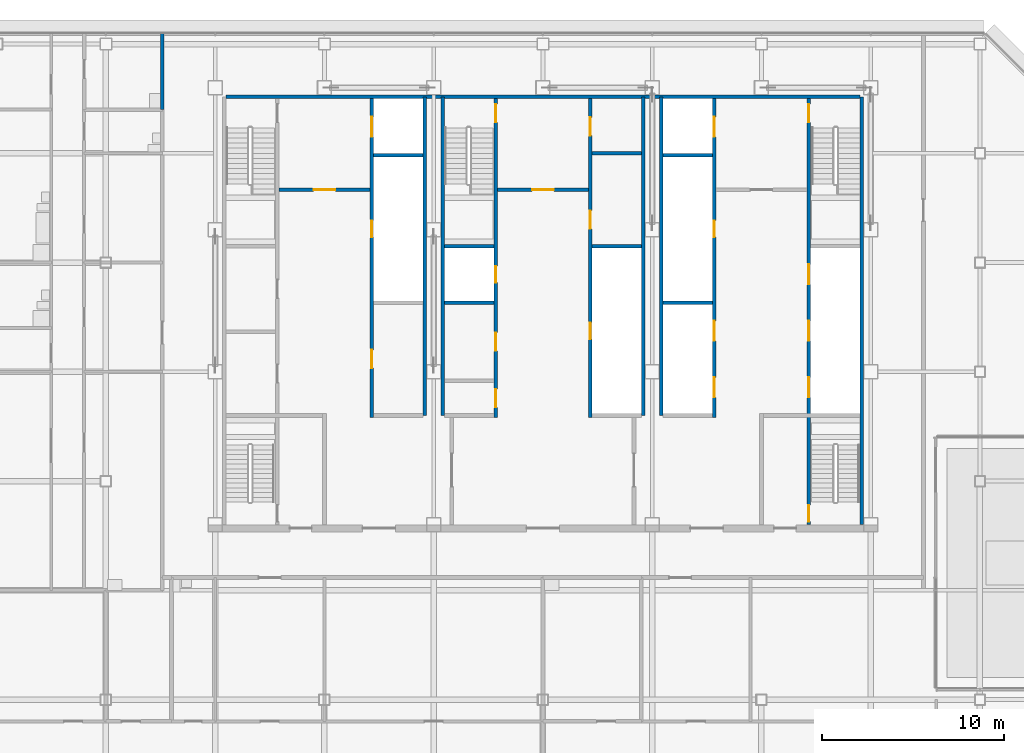
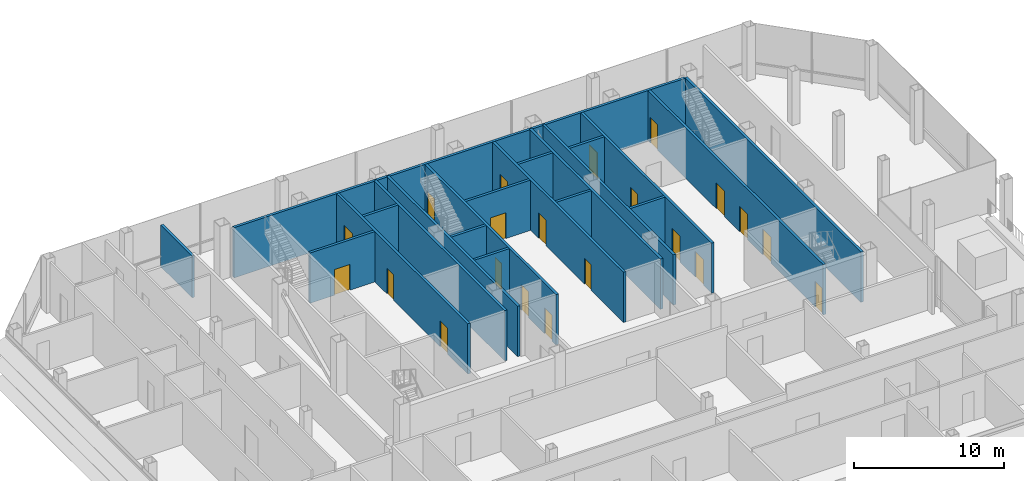
# One storey, part 25 of 30: 21 doors, 21 walls, 21 openings.
"""IFC4 building model written with IfcOpenShell, lengths in metres."""

import ifcopenshell
import ifcopenshell.guid

model = None  # the IFC model being written
_history = None  # IfcOwnerHistory: only IFC2X3 demands one
_inside = {}  # id of a spatial element -> (the spatial element, [elements in it])
_under = {}  # id of a project, library or spatial element -> (it, [spatial elements below it])
_declared = {}  # id of a project -> (the project, [libraries it declares])
_typed = {}  # id of a type object -> (the type object, [elements of that type])
_made_of = {}  # id of a material, layer set ... -> (it, [elements and type objects made of it])


def new_model(schema):
    """Start an empty IFC model of exactly this schema.

    Asked for "IFC4X3", IfcOpenShell would pick the latest addendum, in which some entities
    have other attributes; the version numbers below select the first issue.
    IFC2X3 requires an IfcOwnerHistory on every rooted entity: one is made here for all.
    """
    global model, _history
    if schema == "IFC4X3":
        model = ifcopenshell.file(schema_version=(4, 3, 0, 0))
    else:
        model = ifcopenshell.file(schema=schema)
    _inside.clear()
    _under.clear()
    _declared.clear()
    _typed.clear()
    _made_of.clear()
    _history = None
    if model.schema == "IFC2X3":
        org = make("IfcOrganization", Name="unknown")
        user = make(
            "IfcPersonAndOrganization",
            ThePerson=make("IfcPerson", FamilyName="unknown"),
            TheOrganization=org,
        )
        app = make(
            "IfcApplication",
            ApplicationDeveloper=org,
            Version="unknown",
            ApplicationFullName="unknown",
            ApplicationIdentifier="unknown",
        )
        _history = make(
            "IfcOwnerHistory",
            OwningUser=user,
            OwningApplication=app,
            ChangeAction="ADDED",
            CreationDate=0,
        )
    return model


def make(cls, **values):
    """One entity of the class cls with the attributes given. An attribute that is None is left unset."""
    return model.create_entity(
        cls, **{name: value for name, value in values.items() if value is not None}
    )


def rooted(cls, **values):
    """An entity with a GlobalId (a new one), such as an element, a storey or a relation."""
    return make(cls, GlobalId=ifcopenshell.guid.new(), OwnerHistory=_history, **values)


def si_unit(unit_type, name, prefix=None):
    """IfcSIUnit, for example si_unit("LENGTHUNIT", "METRE", prefix="MILLI")."""
    return make("IfcSIUnit", UnitType=unit_type, Prefix=prefix, Name=name)


def assignment(units):
    """IfcUnitAssignment: the units of a project."""
    return None if units is None else make("IfcUnitAssignment", Units=units)


def point(xyz):
    """IfcCartesianPoint."""
    return None if xyz is None else make("IfcCartesianPoint", Coordinates=xyz)


def direction(xyz):
    """IfcDirection."""
    return None if xyz is None else make("IfcDirection", DirectionRatios=xyz)


def frame(location, z_axis=None, x_axis=None):
    """IfcAxis2Placement3D, a coordinate frame: its origin and axes. An axis left out is left unset."""
    return make(
        "IfcAxis2Placement3D",
        Location=point(location),
        Axis=direction(z_axis),
        RefDirection=direction(x_axis),
    )


def frame_2d(location, x_axis=None):
    """IfcAxis2Placement2D, a coordinate frame in the plane: its origin and x axis."""
    return make(
        "IfcAxis2Placement2D", Location=point(location), RefDirection=direction(x_axis)
    )


def origin():
    """The frame at (0, 0, 0) with its axes left unset."""
    return frame((0.0, 0.0, 0.0))


def place(relative_to, where):
    """IfcLocalPlacement: puts the frame where relative to a parent placement (None: the world)."""
    return make(
        "IfcLocalPlacement", PlacementRelTo=relative_to, RelativePlacement=where
    )


def context(
    kind, dimensions, precision=None, world=None, true_north=None, identifier=None
):
    """IfcGeometricRepresentationContext, for example the 3D "Model" context."""
    return make(
        "IfcGeometricRepresentationContext",
        ContextIdentifier=identifier,
        ContextType=kind,
        CoordinateSpaceDimension=dimensions,
        Precision=precision,
        WorldCoordinateSystem=world,
        TrueNorth=true_north,
    )


def subcontext(parent, identifier, kind, view, scale=None):
    """IfcGeometricRepresentationSubContext, for example "Body" below "Model"."""
    return make(
        "IfcGeometricRepresentationSubContext",
        ContextIdentifier=identifier,
        ContextType=kind,
        ParentContext=parent,
        TargetScale=scale,
        TargetView=view,
    )


def project(units=None, contexts=None):
    """IfcProject with its units and contexts."""
    return rooted(
        "IfcProject",
        Name="project",
        RepresentationContexts=contexts,
        UnitsInContext=assignment(units),
    )


def spatial(cls, under=None, at=None, **own):
    """A site, building, storey or space (cls), placed at a placement, below another one or the project."""
    s = rooted(cls, ObjectPlacement=at, **own)
    if under is not None:
        _under.setdefault(under.id(), (under, []))[1].append(s)
    return s


def profile(cls, at=None, kind="AREA", **sizes):
    """A parametric profile (cls). Its sizes go by their IFC names, for example OverallWidth=200.0."""
    return make(cls, ProfileType=kind, Position=at, **sizes)


def rectangle(**sizes):
    """IfcRectangleProfileDef."""
    return profile("IfcRectangleProfileDef", **sizes)


def extrude(swept, where, along, depth):
    """IfcExtrudedAreaSolid: the profile swept, set in the frame where, extruded along a direction by depth."""
    return make(
        "IfcExtrudedAreaSolid",
        SweptArea=swept,
        Position=where,
        ExtrudedDirection=direction(along),
        Depth=depth,
    )


def shape(context_of_items, identifier, shape_type, items):
    """IfcShapeRepresentation: the items that make up one representation, for example the "Body"."""
    return make(
        "IfcShapeRepresentation",
        ContextOfItems=context_of_items,
        RepresentationIdentifier=identifier,
        RepresentationType=shape_type,
        Items=items,
    )


def material(Name=None, Category=None):
    """IfcMaterial."""
    return make("IfcMaterial", Name=Name, Category=Category)


def layer(
    of_material, thickness, ventilated=None, Name=None, Category=None, Priority=None
):
    """IfcMaterialLayer: one layer of a wall or slab, of a material (None: an air gap)."""
    return make(
        "IfcMaterialLayer",
        Material=of_material,
        LayerThickness=thickness,
        IsVentilated=ventilated,
        Name=Name,
        Category=Category,
        Priority=Priority,
    )


def layer_set(layers, Name=None):
    """IfcMaterialLayerSet."""
    return make("IfcMaterialLayerSet", MaterialLayers=layers, LayerSetName=Name)


def made_of(thing, what):
    """Note that an element or type object is made of a material, layer set ...; save() writes the relation."""
    if what is not None:
        _made_of.setdefault(what.id(), (what, []))[1].append(thing)
    return thing


def type_object(cls, material=None, **own):
    """A type object (cls), such as IfcWallType, which elements share."""
    return made_of(rooted(cls, **own), material)


def element(
    cls,
    number,
    at=None,
    inside=None,
    cuts=None,
    type_object=None,
    material=None,
    context=None,
    identifier="Body",
    shape_type=None,
    held_by="IfcProductDefinitionShape",
    body=None,
    shapes=None,
    **own,
):
    """One element of the class cls, such as IfcWall. Its Tag is "e" and its number.

    at: its placement. inside: the storey or other place that contains it. cuts: it is an
    opening in that element (IfcRelVoidsElement). A single representation is given by context,
    identifier, shape_type and body (its items); several are given by shapes. held_by: the class
    of the entity that holds the representations. save() writes the other relations.
    """
    e = rooted(cls, Tag="e%d" % number, ObjectPlacement=at, **own)
    if body is not None:
        shapes = [shape(context, identifier, shape_type, body)]
    if shapes is not None:
        e.Representation = make(held_by, Representations=shapes)
    if inside is not None:
        _inside.setdefault(inside.id(), (inside, []))[1].append(e)
    if cuts is not None:
        rooted(
            "IfcRelVoidsElement", RelatingBuildingElement=cuts, RelatedOpeningElement=e
        )
    if type_object is not None:
        _typed.setdefault(type_object.id(), (type_object, []))[1].append(e)
    return made_of(e, material)


def fill(opening, filler):
    """IfcRelFillsElement: the door or window that sits in an opening."""
    return rooted(
        "IfcRelFillsElement",
        RelatingOpeningElement=opening,
        RelatedBuildingElement=filler,
    )


def aggregate(whole, parts):
    """IfcRelAggregates: a whole, such as a stair, and the parts it consists of."""
    return rooted("IfcRelAggregates", RelatingObject=whole, RelatedObjects=parts)


def save(model, path):
    """Write the relations noted so far, then the file.

    IfcRelAggregates (storeys below a building ...), IfcRelContainedInSpatialStructure (elements
    in a storey), IfcRelDefinesByType, IfcRelAssociatesMaterial and IfcRelDeclares: one each for
    every whole, place, type object, material and project.
    """
    for whole, parts in _under.values():
        aggregate(whole, parts)
    for where, things in _inside.values():
        rooted(
            "IfcRelContainedInSpatialStructure",
            RelatedElements=things,
            RelatingStructure=where,
        )
    for kind, things in _typed.values():
        rooted("IfcRelDefinesByType", RelatedObjects=things, RelatingType=kind)
    for what, things in _made_of.values():
        rooted("IfcRelAssociatesMaterial", RelatedObjects=things, RelatingMaterial=what)
    for by, libraries in _declared.values():
        rooted("IfcRelDeclares", RelatingContext=by, RelatedDefinitions=libraries)
    model.write(path)


model = new_model("IFC4")

# Units and contexts
model_context = context("Model", 3, precision=1e-05, world=origin(), true_north=direction((0.0, 1.0)))
body_context = subcontext(model_context, "Body", "Model", "MODEL_VIEW")
ifc_project = project(units=[si_unit("LENGTHUNIT", "METRE"), si_unit("AREAUNIT", "SQUARE_METRE"), si_unit("VOLUMEUNIT", "CUBIC_METRE"), si_unit("PLANEANGLEUNIT", "RADIAN"), si_unit("MASSUNIT", "GRAM", prefix="KILO")], contexts=[model_context])

# Site, building, storey
site_placement = place(None, origin())
site = spatial("IfcSite", under=ifc_project, at=site_placement, CompositionType="ELEMENT")
building_placement = place(site_placement, origin())
building = spatial("IfcBuilding", under=site, at=building_placement, Name="Sorahane Residences", CompositionType="ELEMENT")
storey_placement = place(building_placement, frame((0.0, 0.0, 229.800048828125)))
storey = spatial("IfcBuildingStorey", under=building, at=storey_placement, Name="L54", CompositionType="ELEMENT", Elevation=229.800048828125)

# Walls
ifc_material_1 = material(Name="Concrete C30", Category="concrete")
ifc_layer_1 = layer(ifc_material_1, 0.199951171875)
ifc_layer_set_1 = layer_set([ifc_layer_1], Name="Core face wall 200 EI 180")
wall_type_1 = type_object("IfcWallType", Name="Core face wall 200 EI 180", PredefinedType="SOLIDWALL", material=ifc_layer_set_1)
wall_1_placement = place(storey_placement, frame((41.5, 21.60009765625, 0.0), z_axis=(0.0, 0.0, 1.0), x_axis=(0.0, 1.0, 0.0)))
element("IfcWall", 1, at=wall_1_placement, inside=storey, type_object=wall_type_1, Name="L54 core face wall", PredefinedType="SOLIDWALL", context=body_context, shape_type="SweptSolid", body=[
    extrude(rectangle(XDim=23.5, YDim=0.199951171875, at=frame_2d((11.75, 0.0))), origin(), (0.0, 0.0, 1.0), 4.099853515625),
])
wall_2_placement = place(storey_placement, frame((6.60009765625, 45.10009765625, 0.0), z_axis=(0.0, 0.0, 1.0), x_axis=(1.0, 0.0, 0.0)))
element("IfcWall", 2, at=wall_2_placement, inside=storey, type_object=wall_type_1, Name="L54 core face wall", PredefinedType="SOLIDWALL", context=body_context, shape_type="SweptSolid", body=[
    extrude(rectangle(XDim=34.7998046875, YDim=0.199951171875, at=frame_2d((17.39990234375, 0.0))), origin(), (0.0, 0.0, 1.0), 4.099853515625),
])
for number, where, z_axis, x_axis, name in (
    (3, (17.5, 27.60009765625, 0.0), (0.0, 0.0, 1.0), (0.0, 1.0, 0.0), "L54 core face wall"),
    (4, (18.5, 27.60009765625, 0.0), (0.0, 0.0, 1.0), (0.0, 1.0, 0.0), "L54 core face wall"),
    (5, (29.5, 27.60009765625, 0.0), (0.0, 0.0, 1.0), (0.0, 1.0, 0.0), "L54 core face wall"),
    (6, (30.5, 27.60009765625, 0.0), (0.0, 0.0, 1.0), (0.0, 1.0, 0.0), "L54 core face wall"),
):
    element("IfcWall", number, at=place(storey_placement, frame(where, z_axis=z_axis, x_axis=x_axis)), inside=storey, type_object=wall_type_1, Name=name, PredefinedType="SOLIDWALL", context=body_context, shape_type="SweptSolid", body=[
        extrude(rectangle(XDim=17.5, YDim=0.199951171875, at=frame_2d((8.75, 0.0))), origin(), (0.0, 0.0, 1.0), 4.099853515625),
    ])

# Wall, opening, door
ifc_material_2 = material(Name="Concrete C30", Category="concrete")
ifc_layer_2 = layer(ifc_material_2, 0.199951171875)
ifc_layer_set_2 = layer_set([ifc_layer_2], Name="Front room wall 200 EI 120")
wall_type_2 = type_object("IfcWallType", Name="Front room wall 200 EI 120", PredefinedType="PARTITIONING", material=ifc_layer_set_2)
wall_3_placement = place(storey_placement, frame((21.5, 40.0, 0.0), z_axis=(0.0, 0.0, 1.0), x_axis=(1.0, 0.0, 0.0)))
wall_3 = element("IfcWall", 7, at=wall_3_placement, inside=storey, type_object=wall_type_2, Name="L54 front room wall", PredefinedType="PARTITIONING", context=body_context, shape_type="SweptSolid", body=[
    extrude(rectangle(XDim=5.0, YDim=0.199951171875, at=frame_2d((2.5, 0.0))), origin(), (0.0, 0.0, 1.0), 4.099853515625),
])
opening_1_placement = place(wall_3_placement, frame((1.89990234375, 0.0, 0.0)))
opening_1 = element("IfcOpeningElement", 8, at=opening_1_placement, cuts=wall_3, Name="Opening L54-C09", PredefinedType="OPENING", context=body_context, shape_type="SweptSolid", body=[
    extrude(rectangle(XDim=1.199951171875, YDim=2.10009765625, at=frame_2d((0.60009765625, 1.050048828125))), frame((0.0, 0.10986328125, 0.0), z_axis=(0.0, -1.0, 0.0), x_axis=(1.0, 0.0, 0.0)), (0.0, 0.0, 1.0), 0.219970703125),
])
ifc_material_3 = material(Name="Steel", Category="steel")
door_type_1 = type_object("IfcDoorType", Name="Front room door 1200x2100 FD120", OperationType="NOTDEFINED", PredefinedType="DOOR", material=ifc_material_3)
door_1_placement = place(opening_1_placement, frame((1.199951171875, 0.0, 0.0), z_axis=(0.0, 0.0, 1.0), x_axis=(-1.0, 0.0, 0.0)))
door_1 = element("IfcDoor", 9, at=door_1_placement, inside=storey, type_object=door_type_1, Name="Front room door Stair S3 vestibule L54", OperationType="DOUBLE_DOOR_SINGLE_SWING", OverallHeight=2.10009765625, OverallWidth=1.199951171875, PredefinedType="DOOR", context=body_context, shape_type="SweptSolid", body=[
    extrude(rectangle(XDim=1.199951171875, YDim=2.10009765625, at=frame_2d((0.60009765625, 1.050048828125))), frame((0.0, 0.02490234375, 0.0), z_axis=(0.0, -1.0, 0.0), x_axis=(1.0, 0.0, 0.0)), (0.0, 0.0, 1.0), 0.050048828125),
])
fill(opening_1, door_1)

wall_4_placement = place(storey_placement, frame((9.5, 40.0, 0.0), z_axis=(0.0, 0.0, 1.0), x_axis=(1.0, 0.0, 0.0)))
wall_4 = element("IfcWall", 10, at=wall_4_placement, inside=storey, type_object=wall_type_2, Name="L54 front room wall", PredefinedType="PARTITIONING", context=body_context, shape_type="SweptSolid", body=[
    extrude(rectangle(XDim=5.0, YDim=0.199951171875, at=frame_2d((2.5, 0.0))), origin(), (0.0, 0.0, 1.0), 4.099853515625),
])
opening_2_placement = place(wall_4_placement, frame((1.89990234375, 0.0, 0.0)))
opening_2 = element("IfcOpeningElement", 11, at=opening_2_placement, cuts=wall_4, Name="Opening L54-C08", PredefinedType="OPENING", context=body_context, shape_type="SweptSolid", body=[
    extrude(rectangle(XDim=1.199951171875, YDim=2.10009765625, at=frame_2d((0.60009765625, 1.050048828125))), frame((0.0, 0.10986328125, 0.0), z_axis=(0.0, -1.0, 0.0), x_axis=(1.0, 0.0, 0.0)), (0.0, 0.0, 1.0), 0.219970703125),
])
door_2_placement = place(opening_2_placement, frame((1.199951171875, 0.0, 0.0), z_axis=(0.0, 0.0, 1.0), x_axis=(-1.0, 0.0, 0.0)))
door_2 = element("IfcDoor", 12, at=door_2_placement, inside=storey, type_object=door_type_1, Name="Front room door Firefighting lobby FF1 front room L54", OperationType="DOUBLE_DOOR_SINGLE_SWING", OverallHeight=2.10009765625, OverallWidth=1.199951171875, PredefinedType="DOOR", context=body_context, shape_type="SweptSolid", body=[
    extrude(rectangle(XDim=1.199951171875, YDim=2.10009765625, at=frame_2d((0.60009765625, 1.050048828125))), frame((0.0, 0.02490234375, 0.0), z_axis=(0.0, -1.0, 0.0), x_axis=(1.0, 0.0, 0.0)), (0.0, 0.0, 1.0), 0.050048828125),
])
fill(opening_2, door_2)

# Wall
ifc_material_4 = material(Name="Concrete blockwork C20 wall", Category="masonry")
ifc_layer_3 = layer(ifc_material_4, 0.199951171875)
ifc_layer_set_3 = layer_set([ifc_layer_3], Name="Kitchen wall 200 EI 180")
wall_type_3 = type_object("IfcWallType", Name="Kitchen wall 200 EI 180", PredefinedType="SOLIDWALL", material=ifc_layer_set_3)
wall_5_placement = place(storey_placement, frame((3.10009765625, 44.39990234375, 0.0), z_axis=(0.0, 0.0, 1.0), x_axis=(0.0, 1.0, 0.0)))
element("IfcWall", 13, at=wall_5_placement, inside=storey, type_object=wall_type_3, Name="L54 kitchen wall", PredefinedType="SOLIDWALL", context=body_context, shape_type="SweptSolid", body=[
    extrude(rectangle(XDim=4.2001953125, YDim=0.199951171875, at=frame_2d((2.10009765625, 0.0))), origin(), (0.0, 0.0, 1.0), 3.39990234375),
])

# Wall, openings, doors
ifc_material_5 = material(Name="Concrete C30", Category="concrete")
ifc_layer_4 = layer(ifc_material_5, 0.199951171875)
ifc_layer_set_4 = layer_set([ifc_layer_4], Name="Lift shaft wall 200 EI 120")
wall_type_4 = type_object("IfcWallType", Name="Lift shaft wall 200 EI 120", PredefinedType="SOLIDWALL", material=ifc_layer_set_4)
wall_6_placement = place(storey_placement, frame((14.60009765625, 27.5, 0.0), z_axis=(0.0, 0.0, 1.0), x_axis=(0.0, 1.0, 0.0)))
wall_6 = element("IfcWall", 14, at=wall_6_placement, inside=storey, type_object=wall_type_4, Name="L54 lift shaft wall", PredefinedType="SOLIDWALL", context=body_context, shape_type="SweptSolid", body=[
    extrude(rectangle(XDim=17.5, YDim=0.199951171875, at=frame_2d((8.75, 0.0))), origin(), (0.0, 0.0, 1.0), 4.099853515625),
])
opening_3_placement = place(wall_6_placement, frame((15.39990234375, 0.0, 0.0)))
opening_3 = element("IfcOpeningElement", 15, at=opening_3_placement, cuts=wall_6, Name="Opening L54-C17", PredefinedType="OPENING", context=body_context, shape_type="SweptSolid", body=[
    extrude(rectangle(XDim=1.10009765625, YDim=2.10009765625, at=frame_2d((0.550048828125, 1.050048828125))), frame((0.0, 0.10986328125, 0.0), z_axis=(0.0, -1.0, 0.0), x_axis=(1.0, 0.0, 0.0)), (0.0, 0.0, 1.0), 0.219970703125),
])
opening_4_placement = place(wall_6_placement, frame((2.699951171875, 0.0, 0.0)))
opening_4 = element("IfcOpeningElement", 16, at=opening_4_placement, cuts=wall_6, Name="Opening L54-C20", PredefinedType="OPENING", context=body_context, shape_type="SweptSolid", body=[
    extrude(rectangle(XDim=1.0, YDim=2.10009765625, at=frame_2d((0.5, 1.050048828125))), frame((0.0, 0.10986328125, 0.0), z_axis=(0.0, -1.0, 0.0), x_axis=(1.0, 0.0, 0.0)), (0.0, 0.0, 1.0), 0.219970703125),
])
opening_5_placement = place(wall_6_placement, frame((9.89990234375, 0.0, 0.0)))
opening_5 = element("IfcOpeningElement", 17, at=opening_5_placement, cuts=wall_6, Name="Opening L54-C28", PredefinedType="OPENING", context=body_context, shape_type="SweptSolid", body=[
    extrude(rectangle(XDim=0.89990234375, YDim=2.10009765625, at=frame_2d((0.449951171875, 1.050048828125))), frame((0.0, 0.10986328125, 0.0), z_axis=(0.0, -1.0, 0.0), x_axis=(1.0, 0.0, 0.0)), (0.0, 0.0, 1.0), 0.219970703125),
])
ifc_material_6 = material(Name="Aluminium and stainless steel", Category="steel")
door_type_2 = type_object("IfcDoorType", Name="Lift landing door 1100x2100 E 60", OperationType="NOTDEFINED", PredefinedType="DOOR", material=ifc_material_6)
door_3_placement = place(opening_3_placement, origin())
door_3 = element("IfcDoor", 18, at=door_3_placement, inside=storey, type_object=door_type_2, Name="Lift landing door FF1 L54", OperationType="DOUBLE_DOOR_SLIDING", OverallHeight=2.10009765625, OverallWidth=1.10009765625, PredefinedType="DOOR", context=body_context, shape_type="SweptSolid", body=[
    extrude(rectangle(XDim=1.10009765625, YDim=2.10009765625, at=frame_2d((0.550048828125, 1.050048828125))), frame((0.0, 0.02490234375, 0.0), z_axis=(0.0, -1.0, 0.0), x_axis=(1.0, 0.0, 0.0)), (0.0, 0.0, 1.0), 0.050048828125),
])
fill(opening_3, door_3)
ifc_material_7 = material(Name="Steel", Category="steel")
door_type_3 = type_object("IfcDoorType", Name="Riser door 900x2100 FD120", OperationType="NOTDEFINED", PredefinedType="DOOR", material=ifc_material_7)
door_4_placement = place(opening_5_placement, origin())
door_4 = element("IfcDoor", 19, at=door_4_placement, inside=storey, type_object=door_type_3, Name="Riser door R1 L54", OperationType="SINGLE_SWING_LEFT", OverallHeight=2.10009765625, OverallWidth=0.89990234375, PredefinedType="DOOR", context=body_context, shape_type="SweptSolid", body=[
    extrude(rectangle(XDim=0.89990234375, YDim=2.10009765625, at=frame_2d((0.449951171875, 1.050048828125))), frame((0.0, 0.02490234375, 0.0), z_axis=(0.0, -1.0, 0.0), x_axis=(1.0, 0.0, 0.0)), (0.0, 0.0, 1.0), 0.050048828125),
])
fill(opening_5, door_4)
ifc_material_8 = material(Name="Steel", Category="steel")
door_type_4 = type_object("IfcDoorType", Name="Service room door 1000x2100 FD60", OperationType="NOTDEFINED", PredefinedType="DOOR", material=ifc_material_8)
door_5_placement = place(opening_4_placement, frame((1.0, 0.0, 0.0), z_axis=(0.0, 0.0, 1.0), x_axis=(-1.0, 0.0, 0.0)))
door_5 = element("IfcDoor", 20, at=door_5_placement, inside=storey, type_object=door_type_4, Name="Service room door Flower room L54", OperationType="SINGLE_SWING_RIGHT", OverallHeight=2.10009765625, OverallWidth=1.0, PredefinedType="DOOR", context=body_context, shape_type="SweptSolid", body=[
    extrude(rectangle(XDim=1.0, YDim=2.10009765625, at=frame_2d((0.5, 1.050048828125))), frame((0.0, 0.02490234375, 0.0), z_axis=(0.0, -1.0, 0.0), x_axis=(1.0, 0.0, 0.0)), (0.0, 0.0, 1.0), 0.050048828125),
])
fill(opening_4, door_5)

wall_7_placement = place(storey_placement, frame((33.39990234375, 27.5, 0.0), z_axis=(0.0, 0.0, 1.0), x_axis=(0.0, 1.0, 0.0)))
wall_7 = element("IfcWall", 21, at=wall_7_placement, inside=storey, type_object=wall_type_4, Name="L54 lift shaft wall", PredefinedType="SOLIDWALL", context=body_context, shape_type="SweptSolid", body=[
    extrude(rectangle(XDim=17.5, YDim=0.199951171875, at=frame_2d((8.75, 0.0))), origin(), (0.0, 0.0, 1.0), 4.099853515625),
])
opening_6_placement = place(wall_7_placement, frame((1.10009765625, 0.0, 0.0)))
opening_6 = element("IfcOpeningElement", 22, at=opening_6_placement, cuts=wall_7, Name="Opening L54-C14", PredefinedType="OPENING", context=body_context, shape_type="SweptSolid", body=[
    extrude(rectangle(XDim=1.10009765625, YDim=2.10009765625, at=frame_2d((0.550048828125, 1.050048828125))), frame((0.0, 0.10986328125, 0.0), z_axis=(0.0, -1.0, 0.0), x_axis=(1.0, 0.0, 0.0)), (0.0, 0.0, 1.0), 0.219970703125),
])
opening_7_placement = place(wall_7_placement, frame((4.199951171875, 0.0, 0.0)))
opening_7 = element("IfcOpeningElement", 23, at=opening_7_placement, cuts=wall_7, Name="Opening L54-C15", PredefinedType="OPENING", context=body_context, shape_type="SweptSolid", body=[
    extrude(rectangle(XDim=1.10009765625, YDim=2.10009765625, at=frame_2d((0.550048828125, 1.050048828125))), frame((0.0, 0.10986328125, 0.0), z_axis=(0.0, -1.0, 0.0), x_axis=(1.0, 0.0, 0.0)), (0.0, 0.0, 1.0), 0.219970703125),
])
opening_8_placement = place(wall_7_placement, frame((15.39990234375, 0.0, 0.0)))
opening_8 = element("IfcOpeningElement", 24, at=opening_8_placement, cuts=wall_7, Name="Opening L54-C16", PredefinedType="OPENING", context=body_context, shape_type="SweptSolid", body=[
    extrude(rectangle(XDim=1.10009765625, YDim=2.10009765625, at=frame_2d((0.550048828125, 1.050048828125))), frame((0.0, 0.10986328125, 0.0), z_axis=(0.0, -1.0, 0.0), x_axis=(1.0, 0.0, 0.0)), (0.0, 0.0, 1.0), 0.219970703125),
])
opening_9_placement = place(wall_7_placement, frame((9.89990234375, 0.0, 0.0)))
opening_9 = element("IfcOpeningElement", 25, at=opening_9_placement, cuts=wall_7, Name="Opening L54-C29", PredefinedType="OPENING", context=body_context, shape_type="SweptSolid", body=[
    extrude(rectangle(XDim=0.89990234375, YDim=2.10009765625, at=frame_2d((0.449951171875, 1.050048828125))), frame((0.0, 0.10986328125, 0.0), z_axis=(0.0, -1.0, 0.0), x_axis=(1.0, 0.0, 0.0)), (0.0, 0.0, 1.0), 0.219970703125),
])
door_6_placement = place(opening_6_placement, origin())
door_6 = element("IfcDoor", 26, at=door_6_placement, inside=storey, type_object=door_type_2, Name="Lift landing door HR4 L54", OperationType="DOUBLE_DOOR_SLIDING", OverallHeight=2.10009765625, OverallWidth=1.10009765625, PredefinedType="DOOR", context=body_context, shape_type="SweptSolid", body=[
    extrude(rectangle(XDim=1.10009765625, YDim=2.10009765625, at=frame_2d((0.550048828125, 1.050048828125))), frame((0.0, 0.02490234375, 0.0), z_axis=(0.0, -1.0, 0.0), x_axis=(1.0, 0.0, 0.0)), (0.0, 0.0, 1.0), 0.050048828125),
])
fill(opening_6, door_6)
door_7_placement = place(opening_7_placement, origin())
door_7 = element("IfcDoor", 27, at=door_7_placement, inside=storey, type_object=door_type_2, Name="Lift landing door HR5 L54", OperationType="DOUBLE_DOOR_SLIDING", OverallHeight=2.10009765625, OverallWidth=1.10009765625, PredefinedType="DOOR", context=body_context, shape_type="SweptSolid", body=[
    extrude(rectangle(XDim=1.10009765625, YDim=2.10009765625, at=frame_2d((0.550048828125, 1.050048828125))), frame((0.0, 0.02490234375, 0.0), z_axis=(0.0, -1.0, 0.0), x_axis=(1.0, 0.0, 0.0)), (0.0, 0.0, 1.0), 0.050048828125),
])
fill(opening_7, door_7)
door_8_placement = place(opening_8_placement, origin())
door_8 = element("IfcDoor", 28, at=door_8_placement, inside=storey, type_object=door_type_2, Name="Lift landing door FF2 L54", OperationType="DOUBLE_DOOR_SLIDING", OverallHeight=2.10009765625, OverallWidth=1.10009765625, PredefinedType="DOOR", context=body_context, shape_type="SweptSolid", body=[
    extrude(rectangle(XDim=1.10009765625, YDim=2.10009765625, at=frame_2d((0.550048828125, 1.050048828125))), frame((0.0, 0.02490234375, 0.0), z_axis=(0.0, -1.0, 0.0), x_axis=(1.0, 0.0, 0.0)), (0.0, 0.0, 1.0), 0.050048828125),
])
fill(opening_8, door_8)
door_9_placement = place(opening_9_placement, frame((0.89990234375, 0.0, 0.0), z_axis=(0.0, 0.0, 1.0), x_axis=(-1.0, 0.0, 0.0)))
door_9 = element("IfcDoor", 29, at=door_9_placement, inside=storey, type_object=door_type_3, Name="Riser door R2 L54", OperationType="SINGLE_SWING_LEFT", OverallHeight=2.10009765625, OverallWidth=0.89990234375, PredefinedType="DOOR", context=body_context, shape_type="SweptSolid", body=[
    extrude(rectangle(XDim=0.89990234375, YDim=2.10009765625, at=frame_2d((0.449951171875, 1.050048828125))), frame((0.0, 0.02490234375, 0.0), z_axis=(0.0, -1.0, 0.0), x_axis=(1.0, 0.0, 0.0)), (0.0, 0.0, 1.0), 0.050048828125),
])
fill(opening_9, door_9)

# Walls
for number, where, z_axis, x_axis, name in (
    (30, (30.60009765625, 33.800048828125, 0.0), (0.0, 0.0, 1.0), (1.0, 0.0, 0.0), "L54 lift shaft wall"),
    (31, (14.699951171875, 41.89990234375, 0.0), (0.0, 0.0, 1.0), (1.0, 0.0, 0.0), "L54 lift shaft wall"),
    (32, (30.60009765625, 41.89990234375, 0.0), (0.0, 0.0, 1.0), (1.0, 0.0, 0.0), "L54 lift shaft wall"),
):
    element("IfcWall", number, at=place(storey_placement, frame(where, z_axis=z_axis, x_axis=x_axis)), inside=storey, type_object=wall_type_4, Name=name, PredefinedType="SOLIDWALL", context=body_context, shape_type="SweptSolid", body=[
        extrude(rectangle(XDim=2.699951171875, YDim=0.199951171875, at=frame_2d((1.35009765625, 0.0))), origin(), (0.0, 0.0, 1.0), 4.099853515625),
    ])

# Wall, openings, doors
ifc_material_9 = material(Name="Concrete C30", Category="concrete")
ifc_layer_5 = layer(ifc_material_9, 0.199951171875)
ifc_layer_set_5 = layer_set([ifc_layer_5], Name="Riser shaft wall 200 EI 120")
wall_type_5 = type_object("IfcWallType", Name="Riser shaft wall 200 EI 120", PredefinedType="SOLIDWALL", material=ifc_layer_set_5)
wall_8_placement = place(storey_placement, frame((26.60009765625, 27.5, 0.0), z_axis=(0.0, 0.0, 1.0), x_axis=(0.0, 1.0, 0.0)))
wall_8 = element("IfcWall", 33, at=wall_8_placement, inside=storey, type_object=wall_type_5, Name="L54 riser wall", PredefinedType="SOLIDWALL", context=body_context, shape_type="SweptSolid", body=[
    extrude(rectangle(XDim=17.5, YDim=0.199951171875, at=frame_2d((8.75, 0.0))), origin(), (0.0, 0.0, 1.0), 4.099853515625),
])
opening_10_placement = place(wall_8_placement, frame((4.300048828125, 0.0, 0.0)))
opening_10 = element("IfcOpeningElement", 34, at=opening_10_placement, cuts=wall_8, Name="Opening L54-C31", PredefinedType="OPENING", context=body_context, shape_type="SweptSolid", body=[
    extrude(rectangle(XDim=0.89990234375, YDim=2.10009765625, at=frame_2d((0.449951171875, 1.050048828125))), frame((0.0, 0.10986328125, 0.0), z_axis=(0.0, -1.0, 0.0), x_axis=(1.0, 0.0, 0.0)), (0.0, 0.0, 1.0), 0.219970703125),
])
opening_11_placement = place(wall_8_placement, frame((10.35009765625, 0.0, 0.0)))
opening_11 = element("IfcOpeningElement", 35, at=opening_11_placement, cuts=wall_8, Name="Opening L54-C32", PredefinedType="OPENING", context=body_context, shape_type="SweptSolid", body=[
    extrude(rectangle(XDim=1.0, YDim=2.10009765625, at=frame_2d((0.5, 1.050048828125))), frame((0.0, 0.10986328125, 0.0), z_axis=(0.0, -1.0, 0.0), x_axis=(1.0, 0.0, 0.0)), (0.0, 0.0, 1.0), 0.219970703125),
])
opening_12_placement = place(wall_8_placement, frame((15.47509765625, 0.0, 0.0)))
opening_12 = element("IfcOpeningElement", 36, at=opening_12_placement, cuts=wall_8, Name="Opening L54-C33", PredefinedType="OPENING", context=body_context, shape_type="SweptSolid", body=[
    extrude(rectangle(XDim=1.0, YDim=2.10009765625, at=frame_2d((0.5, 1.050048828125))), frame((0.0, 0.10986328125, 0.0), z_axis=(0.0, -1.0, 0.0), x_axis=(1.0, 0.0, 0.0)), (0.0, 0.0, 1.0), 0.219970703125),
])
door_10_placement = place(opening_10_placement, origin())
door_10 = element("IfcDoor", 37, at=door_10_placement, inside=storey, type_object=door_type_3, Name="Riser door R4 L54", OperationType="SINGLE_SWING_LEFT", OverallHeight=2.10009765625, OverallWidth=0.89990234375, PredefinedType="DOOR", context=body_context, shape_type="SweptSolid", body=[
    extrude(rectangle(XDim=0.89990234375, YDim=2.10009765625, at=frame_2d((0.449951171875, 1.050048828125))), frame((0.0, 0.02490234375, 0.0), z_axis=(0.0, -1.0, 0.0), x_axis=(1.0, 0.0, 0.0)), (0.0, 0.0, 1.0), 0.050048828125),
])
fill(opening_10, door_10)
door_11_placement = place(opening_11_placement, frame((1.0, 0.0, 0.0), z_axis=(0.0, 0.0, 1.0), x_axis=(-1.0, 0.0, 0.0)))
door_11 = element("IfcDoor", 38, at=door_11_placement, inside=storey, type_object=door_type_4, Name="Service room door Parcel room L54", OperationType="SINGLE_SWING_LEFT", OverallHeight=2.10009765625, OverallWidth=1.0, PredefinedType="DOOR", context=body_context, shape_type="SweptSolid", body=[
    extrude(rectangle(XDim=1.0, YDim=2.10009765625, at=frame_2d((0.5, 1.050048828125))), frame((0.0, 0.02490234375, 0.0), z_axis=(0.0, -1.0, 0.0), x_axis=(1.0, 0.0, 0.0)), (0.0, 0.0, 1.0), 0.050048828125),
])
fill(opening_11, door_11)
door_12_placement = place(opening_12_placement, frame((1.0, 0.0, 0.0), z_axis=(0.0, 0.0, 1.0), x_axis=(-1.0, 0.0, 0.0)))
door_12 = element("IfcDoor", 39, at=door_12_placement, inside=storey, type_object=door_type_4, Name="Service room door Refuse room L54", OperationType="SINGLE_SWING_RIGHT", OverallHeight=2.10009765625, OverallWidth=1.0, PredefinedType="DOOR", context=body_context, shape_type="SweptSolid", body=[
    extrude(rectangle(XDim=1.0, YDim=2.10009765625, at=frame_2d((0.5, 1.050048828125))), frame((0.0, 0.02490234375, 0.0), z_axis=(0.0, -1.0, 0.0), x_axis=(1.0, 0.0, 0.0)), (0.0, 0.0, 1.0), 0.050048828125),
])
fill(opening_12, door_12)

# Walls
for number, where, z_axis, x_axis, name in (
    (40, (18.60009765625, 33.800048828125, 0.0), (0.0, 0.0, 1.0), (1.0, 0.0, 0.0), "L54 riser wall"),
    (41, (26.699951171875, 36.89990234375, 0.0), (0.0, 0.0, 1.0), (1.0, 0.0, 0.0), "L54 riser wall"),
):
    element("IfcWall", number, at=place(storey_placement, frame(where, z_axis=z_axis, x_axis=x_axis)), inside=storey, type_object=wall_type_5, Name=name, PredefinedType="SOLIDWALL", context=body_context, shape_type="SweptSolid", body=[
        extrude(rectangle(XDim=2.699951171875, YDim=0.199951171875, at=frame_2d((1.35009765625, 0.0))), origin(), (0.0, 0.0, 1.0), 4.099853515625),
    ])
ifc_material_10 = material(Name="Concrete C30", Category="concrete")
ifc_layer_6 = layer(ifc_material_10, 0.199951171875)
ifc_layer_set_6 = layer_set([ifc_layer_6], Name="Service room partition 200 EI 60")
wall_type_6 = type_object("IfcWallType", Name="Service room partition 200 EI 60", PredefinedType="PARTITIONING", material=ifc_layer_set_6)
wall_9_placement = place(storey_placement, frame((26.699951171875, 42.0, 0.0), z_axis=(0.0, 0.0, 1.0), x_axis=(1.0, 0.0, 0.0)))
element("IfcWall", 42, at=wall_9_placement, inside=storey, type_object=wall_type_6, Name="L54 service room wall", PredefinedType="PARTITIONING", context=body_context, shape_type="SweptSolid", body=[
    extrude(rectangle(XDim=2.699951171875, YDim=0.199951171875, at=frame_2d((1.35009765625, 0.0))), origin(), (0.0, 0.0, 1.0), 4.099853515625),
])

# Wall, openings, doors
ifc_material_11 = material(Name="Concrete C30", Category="concrete")
ifc_layer_7 = layer(ifc_material_11, 0.199951171875)
ifc_layer_set_7 = layer_set([ifc_layer_7], Name="Stair enclosure wall 200 EI 120")
wall_type_7 = type_object("IfcWallType", Name="Stair enclosure wall 200 EI 120", PredefinedType="SOLIDWALL", material=ifc_layer_set_7)
wall_10_placement = place(storey_placement, frame((21.39990234375, 27.5, 0.0), z_axis=(0.0, 0.0, 1.0), x_axis=(0.0, 1.0, 0.0)))
wall_10 = element("IfcWall", 43, at=wall_10_placement, inside=storey, type_object=wall_type_7, Name="L54 stair enclosure wall", PredefinedType="SOLIDWALL", context=body_context, shape_type="SweptSolid", body=[
    extrude(rectangle(XDim=17.5, YDim=0.199951171875, at=frame_2d((8.75, 0.0))), origin(), (0.0, 0.0, 1.0), 4.099853515625),
])
opening_13_placement = place(wall_10_placement, frame((0.550048828125, 0.0, 0.0)))
opening_13 = element("IfcOpeningElement", 44, at=opening_13_placement, cuts=wall_10, Name="Opening L54-C18", PredefinedType="OPENING", context=body_context, shape_type="SweptSolid", body=[
    extrude(rectangle(XDim=1.0, YDim=2.10009765625, at=frame_2d((0.5, 1.050048828125))), frame((0.0, 0.10986328125, 0.0), z_axis=(0.0, -1.0, 0.0), x_axis=(1.0, 0.0, 0.0)), (0.0, 0.0, 1.0), 0.219970703125),
])
opening_14_placement = place(wall_10_placement, frame((3.64990234375, 0.0, 0.0)))
opening_14 = element("IfcOpeningElement", 45, at=opening_14_placement, cuts=wall_10, Name="Opening L54-C19", PredefinedType="OPENING", context=body_context, shape_type="SweptSolid", body=[
    extrude(rectangle(XDim=1.0, YDim=2.10009765625, at=frame_2d((0.5, 1.050048828125))), frame((0.0, 0.10986328125, 0.0), z_axis=(0.0, -1.0, 0.0), x_axis=(1.0, 0.0, 0.0)), (0.0, 0.0, 1.0), 0.219970703125),
])
opening_15_placement = place(wall_10_placement, frame((16.199951171875, 0.0, 0.0)))
opening_15 = element("IfcOpeningElement", 46, at=opening_15_placement, cuts=wall_10, Name="Opening L54-C25", PredefinedType="OPENING", context=body_context, shape_type="SweptSolid", body=[
    extrude(rectangle(XDim=1.0, YDim=2.10009765625, at=frame_2d((0.5, 1.050048828125))), frame((0.0, 0.10986328125, 0.0), z_axis=(0.0, -1.0, 0.0), x_axis=(1.0, 0.0, 0.0)), (0.0, 0.0, 1.0), 0.219970703125),
])
opening_16_placement = place(wall_10_placement, frame((7.39990234375, 0.0, 0.0)))
opening_16 = element("IfcOpeningElement", 47, at=opening_16_placement, cuts=wall_10, Name="Opening L54-C30", PredefinedType="OPENING", context=body_context, shape_type="SweptSolid", body=[
    extrude(rectangle(XDim=0.89990234375, YDim=2.10009765625, at=frame_2d((0.449951171875, 1.050048828125))), frame((0.0, 0.10986328125, 0.0), z_axis=(0.0, -1.0, 0.0), x_axis=(1.0, 0.0, 0.0)), (0.0, 0.0, 1.0), 0.219970703125),
])
door_13_placement = place(opening_16_placement, frame((0.89990234375, 0.0, 0.0), z_axis=(0.0, 0.0, 1.0), x_axis=(-1.0, 0.0, 0.0)))
door_13 = element("IfcDoor", 48, at=door_13_placement, inside=storey, type_object=door_type_3, Name="Riser door R3 L54", OperationType="SINGLE_SWING_LEFT", OverallHeight=2.10009765625, OverallWidth=0.89990234375, PredefinedType="DOOR", context=body_context, shape_type="SweptSolid", body=[
    extrude(rectangle(XDim=0.89990234375, YDim=2.10009765625, at=frame_2d((0.449951171875, 1.050048828125))), frame((0.0, 0.02490234375, 0.0), z_axis=(0.0, -1.0, 0.0), x_axis=(1.0, 0.0, 0.0)), (0.0, 0.0, 1.0), 0.050048828125),
])
fill(opening_16, door_13)
door_14_placement = place(opening_13_placement, origin())
door_14 = element("IfcDoor", 49, at=door_14_placement, inside=storey, type_object=door_type_4, Name="Service room door Gift store L54", OperationType="SINGLE_SWING_LEFT", OverallHeight=2.10009765625, OverallWidth=1.0, PredefinedType="DOOR", context=body_context, shape_type="SweptSolid", body=[
    extrude(rectangle(XDim=1.0, YDim=2.10009765625, at=frame_2d((0.5, 1.050048828125))), frame((0.0, 0.02490234375, 0.0), z_axis=(0.0, -1.0, 0.0), x_axis=(1.0, 0.0, 0.0)), (0.0, 0.0, 1.0), 0.050048828125),
])
fill(opening_13, door_14)
door_15_placement = place(opening_14_placement, origin())
door_15 = element("IfcDoor", 50, at=door_15_placement, inside=storey, type_object=door_type_4, Name="Service room door Wine room L54", OperationType="SINGLE_SWING_LEFT", OverallHeight=2.10009765625, OverallWidth=1.0, PredefinedType="DOOR", context=body_context, shape_type="SweptSolid", body=[
    extrude(rectangle(XDim=1.0, YDim=2.10009765625, at=frame_2d((0.5, 1.050048828125))), frame((0.0, 0.02490234375, 0.0), z_axis=(0.0, -1.0, 0.0), x_axis=(1.0, 0.0, 0.0)), (0.0, 0.0, 1.0), 0.050048828125),
])
fill(opening_14, door_15)
ifc_material_12 = material(Name="Steel", Category="steel")
door_type_5 = type_object("IfcDoorType", Name="Stair door 1000x2100 FD120", OperationType="NOTDEFINED", PredefinedType="DOOR", material=ifc_material_12)
door_16_placement = place(opening_15_placement, origin())
door_16 = element("IfcDoor", 51, at=door_16_placement, inside=storey, type_object=door_type_5, Name="Stair door S3 L54", OperationType="SINGLE_SWING_LEFT", OverallHeight=2.10009765625, OverallWidth=1.0, PredefinedType="DOOR", context=body_context, shape_type="SweptSolid", body=[
    extrude(rectangle(XDim=1.0, YDim=2.10009765625, at=frame_2d((0.5, 1.050048828125))), frame((0.0, 0.02490234375, 0.0), z_axis=(0.0, -1.0, 0.0), x_axis=(1.0, 0.0, 0.0)), (0.0, 0.0, 1.0), 0.050048828125),
])
fill(opening_15, door_16)

wall_11_placement = place(storey_placement, frame((38.60009765625, 21.60009765625, 0.0), z_axis=(0.0, 0.0, 1.0), x_axis=(0.0, 1.0, 0.0)))
wall_11 = element("IfcWall", 52, at=wall_11_placement, inside=storey, type_object=wall_type_7, Name="L54 stair enclosure wall", PredefinedType="SOLIDWALL", context=body_context, shape_type="SweptSolid", body=[
    extrude(rectangle(XDim=23.39990234375, YDim=0.199951171875, at=frame_2d((11.699951171875, 0.0))), origin(), (0.0, 0.0, 1.0), 4.099853515625),
])
opening_17_placement = place(wall_11_placement, frame((7.0, 0.0, 0.0)))
opening_17 = element("IfcOpeningElement", 53, at=opening_17_placement, cuts=wall_11, Name="Opening L54-C11", PredefinedType="OPENING", context=body_context, shape_type="SweptSolid", body=[
    extrude(rectangle(XDim=1.10009765625, YDim=2.10009765625, at=frame_2d((0.550048828125, 1.050048828125))), frame((0.0, 0.10986328125, 0.0), z_axis=(0.0, -1.0, 0.0), x_axis=(1.0, 0.0, 0.0)), (0.0, 0.0, 1.0), 0.219970703125),
])
opening_18_placement = place(wall_11_placement, frame((10.10009765625, 0.0, 0.0)))
opening_18 = element("IfcOpeningElement", 54, at=opening_18_placement, cuts=wall_11, Name="Opening L54-C12", PredefinedType="OPENING", context=body_context, shape_type="SweptSolid", body=[
    extrude(rectangle(XDim=1.10009765625, YDim=2.10009765625, at=frame_2d((0.550048828125, 1.050048828125))), frame((0.0, 0.10986328125, 0.0), z_axis=(0.0, -1.0, 0.0), x_axis=(1.0, 0.0, 0.0)), (0.0, 0.0, 1.0), 0.219970703125),
])
opening_19_placement = place(wall_11_placement, frame((13.199951171875, 0.0, 0.0)))
opening_19 = element("IfcOpeningElement", 55, at=opening_19_placement, cuts=wall_11, Name="Opening L54-C13", PredefinedType="OPENING", context=body_context, shape_type="SweptSolid", body=[
    extrude(rectangle(XDim=1.10009765625, YDim=2.10009765625, at=frame_2d((0.550048828125, 1.050048828125))), frame((0.0, 0.10986328125, 0.0), z_axis=(0.0, -1.0, 0.0), x_axis=(1.0, 0.0, 0.0)), (0.0, 0.0, 1.0), 0.219970703125),
])
opening_20_placement = place(wall_11_placement, frame((22.10009765625, 0.0, 0.0)))
opening_20 = element("IfcOpeningElement", 56, at=opening_20_placement, cuts=wall_11, Name="Opening L54-C24", PredefinedType="OPENING", context=body_context, shape_type="SweptSolid", body=[
    extrude(rectangle(XDim=1.0, YDim=2.10009765625, at=frame_2d((0.5, 1.050048828125))), frame((0.0, 0.10986328125, 0.0), z_axis=(0.0, -1.0, 0.0), x_axis=(1.0, 0.0, 0.0)), (0.0, 0.0, 1.0), 0.219970703125),
])
opening_21_placement = place(wall_11_placement, frame((0.175048828125, 0.0, 0.0)))
opening_21 = element("IfcOpeningElement", 57, at=opening_21_placement, cuts=wall_11, Name="Opening L54-C27", PredefinedType="OPENING", context=body_context, shape_type="SweptSolid", body=[
    extrude(rectangle(XDim=0.89990234375, YDim=2.10009765625, at=frame_2d((0.449951171875, 1.050048828125))), frame((0.0, 0.10986328125, 0.0), z_axis=(0.0, -1.0, 0.0), x_axis=(1.0, 0.0, 0.0)), (0.0, 0.0, 1.0), 0.219970703125),
])
door_17_placement = place(opening_17_placement, origin())
door_17 = element("IfcDoor", 58, at=door_17_placement, inside=storey, type_object=door_type_2, Name="Lift landing door HR1 L54", OperationType="DOUBLE_DOOR_SLIDING", OverallHeight=2.10009765625, OverallWidth=1.10009765625, PredefinedType="DOOR", context=body_context, shape_type="SweptSolid", body=[
    extrude(rectangle(XDim=1.10009765625, YDim=2.10009765625, at=frame_2d((0.550048828125, 1.050048828125))), frame((0.0, 0.02490234375, 0.0), z_axis=(0.0, -1.0, 0.0), x_axis=(1.0, 0.0, 0.0)), (0.0, 0.0, 1.0), 0.050048828125),
])
fill(opening_17, door_17)
door_18_placement = place(opening_18_placement, origin())
door_18 = element("IfcDoor", 59, at=door_18_placement, inside=storey, type_object=door_type_2, Name="Lift landing door HR2 L54", OperationType="DOUBLE_DOOR_SLIDING", OverallHeight=2.10009765625, OverallWidth=1.10009765625, PredefinedType="DOOR", context=body_context, shape_type="SweptSolid", body=[
    extrude(rectangle(XDim=1.10009765625, YDim=2.10009765625, at=frame_2d((0.550048828125, 1.050048828125))), frame((0.0, 0.02490234375, 0.0), z_axis=(0.0, -1.0, 0.0), x_axis=(1.0, 0.0, 0.0)), (0.0, 0.0, 1.0), 0.050048828125),
])
fill(opening_18, door_18)
door_19_placement = place(opening_19_placement, origin())
door_19 = element("IfcDoor", 60, at=door_19_placement, inside=storey, type_object=door_type_2, Name="Lift landing door HR3 L54", OperationType="DOUBLE_DOOR_SLIDING", OverallHeight=2.10009765625, OverallWidth=1.10009765625, PredefinedType="DOOR", context=body_context, shape_type="SweptSolid", body=[
    extrude(rectangle(XDim=1.10009765625, YDim=2.10009765625, at=frame_2d((0.550048828125, 1.050048828125))), frame((0.0, 0.02490234375, 0.0), z_axis=(0.0, -1.0, 0.0), x_axis=(1.0, 0.0, 0.0)), (0.0, 0.0, 1.0), 0.050048828125),
])
fill(opening_19, door_19)
door_20_placement = place(opening_20_placement, frame((1.0, 0.0, 0.0), z_axis=(0.0, 0.0, 1.0), x_axis=(-1.0, 0.0, 0.0)))
door_20 = element("IfcDoor", 61, at=door_20_placement, inside=storey, type_object=door_type_5, Name="Stair door S2 L54", OperationType="SINGLE_SWING_LEFT", OverallHeight=2.10009765625, OverallWidth=1.0, PredefinedType="DOOR", context=body_context, shape_type="SweptSolid", body=[
    extrude(rectangle(XDim=1.0, YDim=2.10009765625, at=frame_2d((0.5, 1.050048828125))), frame((0.0, 0.02490234375, 0.0), z_axis=(0.0, -1.0, 0.0), x_axis=(1.0, 0.0, 0.0)), (0.0, 0.0, 1.0), 0.050048828125),
])
fill(opening_20, door_20)
ifc_material_13 = material(Name="Steel", Category="steel")
door_type_6 = type_object("IfcDoorType", Name="Stair door 900x2100 FD120", OperationType="NOTDEFINED", PredefinedType="DOOR", material=ifc_material_13)
door_21_placement = place(opening_21_placement, frame((0.89990234375, 0.0, 0.0), z_axis=(0.0, 0.0, 1.0), x_axis=(-1.0, 0.0, 0.0)))
door_21 = element("IfcDoor", 62, at=door_21_placement, inside=storey, type_object=door_type_6, Name="Stair door S5 L54", OperationType="SINGLE_SWING_LEFT", OverallHeight=2.10009765625, OverallWidth=0.89990234375, PredefinedType="DOOR", context=body_context, shape_type="SweptSolid", body=[
    extrude(rectangle(XDim=0.89990234375, YDim=2.10009765625, at=frame_2d((0.449951171875, 1.050048828125))), frame((0.0, 0.02490234375, 0.0), z_axis=(0.0, -1.0, 0.0), x_axis=(1.0, 0.0, 0.0)), (0.0, 0.0, 1.0), 0.050048828125),
])
fill(opening_21, door_21)

# Wall
wall_12_placement = place(storey_placement, frame((18.60009765625, 36.89990234375, 0.0), z_axis=(0.0, 0.0, 1.0), x_axis=(1.0, 0.0, 0.0)))
element("IfcWall", 63, at=wall_12_placement, inside=storey, type_object=wall_type_7, Name="L54 stair enclosure wall", PredefinedType="SOLIDWALL", context=body_context, shape_type="SweptSolid", body=[
    extrude(rectangle(XDim=2.699951171875, YDim=0.199951171875, at=frame_2d((1.35009765625, 0.0))), origin(), (0.0, 0.0, 1.0), 4.099853515625),
])

save(model, "model.ifc")
